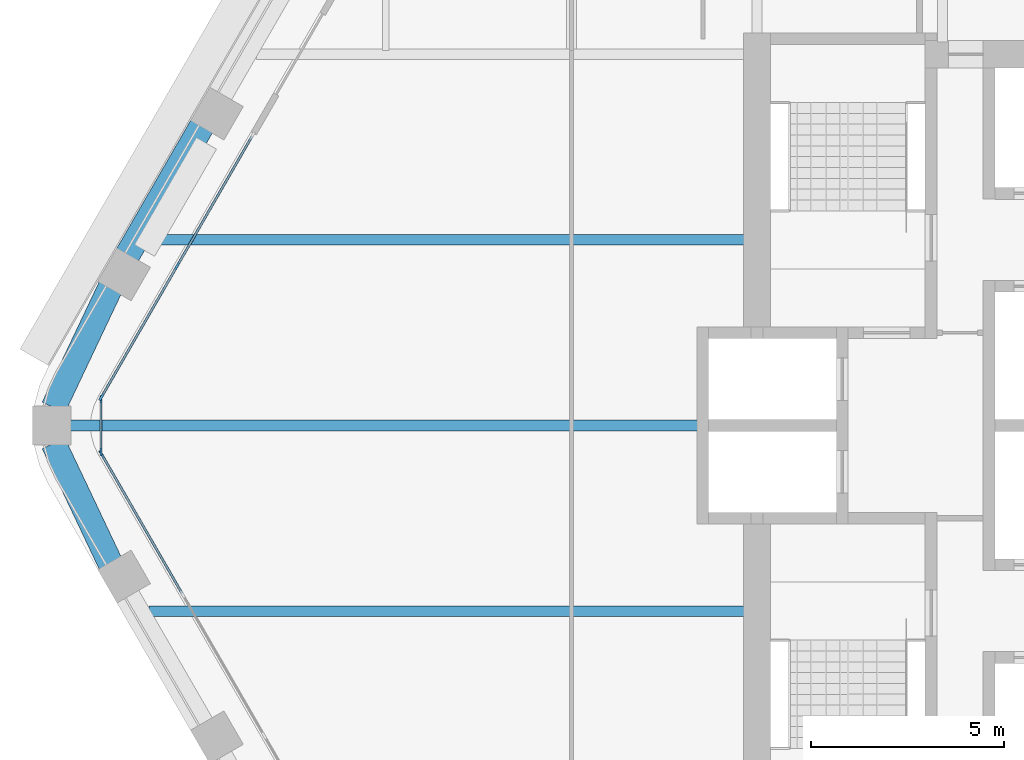
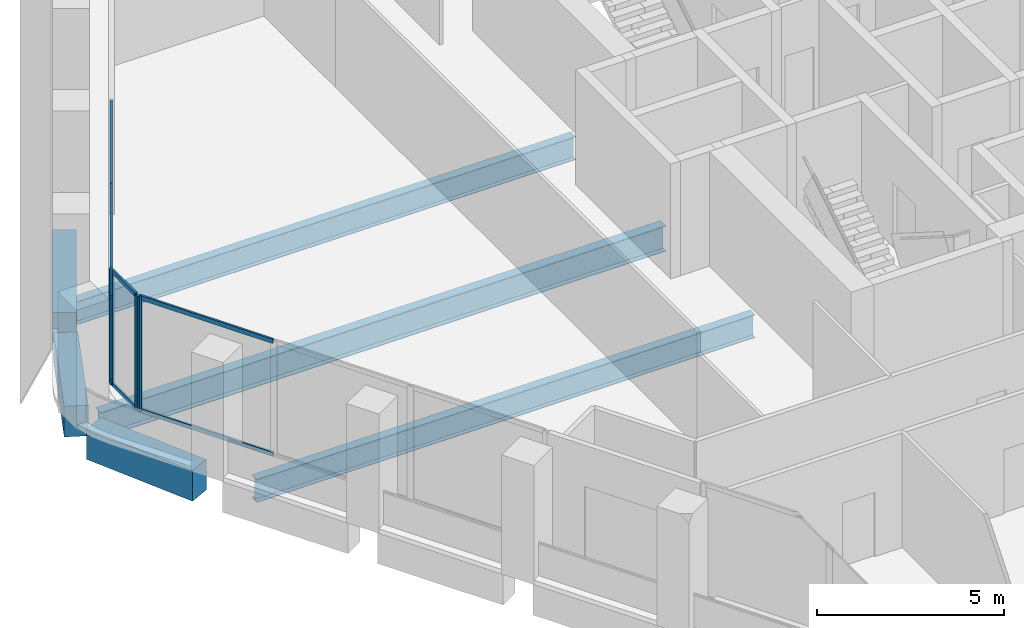
# One storey, part 3 of 15: 13 members, 6 beams, 3 elements without a shape of their own.
"""IFC4 building model written with IfcOpenShell, lengths in metres."""

from ifc_helpers import new_model, si_unit, direction, frame, origin, origin_2d, place, context, subcontext, project, spatial, rectangle, i_section, extrude, material, material_profile, profile_set, type_object, element, aggregate, save


model = new_model("IFC4")

# Units and contexts
model_context = context("Model", 3, precision=1e-05, world=origin(), true_north=direction((0.0, 1.0)))
body_context = subcontext(model_context, "Body", "Model", "MODEL_VIEW")
ifc_project = project(units=[si_unit("LENGTHUNIT", "METRE"), si_unit("AREAUNIT", "SQUARE_METRE"), si_unit("VOLUMEUNIT", "CUBIC_METRE"), si_unit("PLANEANGLEUNIT", "RADIAN"), si_unit("MASSUNIT", "GRAM", prefix="KILO")], contexts=[model_context])

# Site, building, storey
site_placement = place(None, origin())
site = spatial("IfcSite", under=ifc_project, at=site_placement, CompositionType="ELEMENT")
building_placement = place(site_placement, origin())
building = spatial("IfcBuilding", under=site, at=building_placement, Name="Kolab Exchange Tower", CompositionType="ELEMENT")
storey_placement = place(building_placement, frame((0.0, 0.0, 173.89990234375)))
storey = spatial("IfcBuildingStorey", under=building, at=storey_placement, Name="L36", CompositionType="ELEMENT", Elevation=173.89990234375)

# Beams
ifc_material_1 = material(Name="Steel S355", Category="steel")
ifc_material_profile_1 = material_profile(ifc_material_1, i_section(OverallWidth=0.26708984375, OverallDepth=0.761962890625, WebThickness=0.014404296875, FlangeThickness=0.021484375, at=origin_2d()), Name="W760X173")
ifc_profile_set_1 = profile_set([ifc_material_profile_1], Name="Steel S355")
beam_type_1 = type_object("IfcBeamType", Name="FLOOR BEAM W760X173", PredefinedType="BEAM", material=ifc_profile_set_1)
for number, where, z_axis, x_axis, name in (
    (1, (-25.318115234375, -4.800048828125, -0.531005859375), (1.0, 0.0, 0.0), (0.0, 1.0, 0.0), "beam/L36/fr/001"),
    (2, (-25.318115234375, 4.800048828125, -0.531005859375), (1.0, 0.0, 0.0), (0.0, 1.0, 0.0), "beam/L36/fr/002"),
):
    element("IfcBeam", number, at=place(storey_placement, frame(where, z_axis=z_axis, x_axis=x_axis)), inside=storey, type_object=beam_type_1, Name=name, PredefinedType="BEAM", context=body_context, shape_type="SweptSolid", body=[
        extrude(i_section(OverallWidth=0.26708984375, OverallDepth=0.761962890625, WebThickness=0.014404296875, FlangeThickness=0.021484375, at=origin_2d()), origin(), (0.0, 0.0, 1.0), 15.408203125),
    ])
ifc_material_profile_2 = material_profile(ifc_material_1, i_section(OverallWidth=0.2919921875, OverallDepth=0.840087890625, WebThickness=0.0146484375, FlangeThickness=0.021728515625, at=origin_2d()), Name="W840X193")
ifc_profile_set_2 = profile_set([ifc_material_profile_2], Name="Steel S355")
beam_type_2 = type_object("IfcBeamType", Name="FLOOR BEAM W840X193", PredefinedType="BEAM", material=ifc_profile_set_2)
beam_1_placement = place(storey_placement, frame((-27.3759765625, 0.0, -0.56982421875), z_axis=(1.0, 0.0, 0.0), x_axis=(0.0, 1.0, 0.0)))
element("IfcBeam", 3, at=beam_1_placement, inside=storey, type_object=beam_type_2, Name="beam/L36/fr/000", PredefinedType="BEAM", context=body_context, shape_type="SweptSolid", body=[
    extrude(i_section(OverallWidth=0.2919921875, OverallDepth=0.840087890625, WebThickness=0.0146484375, FlangeThickness=0.021728515625, at=origin_2d()), origin(), (0.0, 0.0, 1.0), 17.466064453125),
])
ifc_material_2 = material(Name="Concrete C60/75", Category="concrete")
ifc_material_profile_3 = material_profile(ifc_material_2, rectangle(XDim=0.64990234375, YDim=1.0, at=origin_2d()), Name="RC650X1000")
ifc_profile_set_3 = profile_set([ifc_material_profile_3], Name="Concrete C60/75")
beam_type_3 = type_object("IfcBeamType", Name="SPANDREL BEAM 650X1000 C60/75", PredefinedType="BEAM", material=ifc_profile_set_3)
for number, where, z_axis, x_axis, name in (
    (4, (-26.316162109375, -3.5771484375, -0.64990234375), (-0.428177731975, 0.903694544545, 0.0), (-0.903694544545, -0.428177731975, 0.0), "beam/L36/sp/F5-06"),
    (5, (-27.791259765625, 0.4638671875, -0.64990234375), (0.428177731975, 0.903694544545, 0.0), (-0.903694544545, 0.428177731975, 0.0), "beam/L36/sp/F6-01"),
):
    element("IfcBeam", number, at=place(storey_placement, frame(where, z_axis=z_axis, x_axis=x_axis)), inside=storey, type_object=beam_type_3, Name=name, PredefinedType="BEAM", context=body_context, shape_type="SweptSolid", body=[
        extrude(rectangle(XDim=0.64990234375, YDim=1.0, at=origin_2d()), origin(), (0.0, 0.0, 1.0), 3.445068359375),
    ])
beam_2_placement = place(storey_placement, frame((-25.888427734375, 4.392822265625, -0.64990234375), z_axis=(0.499996613652, 0.866027358884, 0.0), x_axis=(-0.866027358884, 0.499996613652, 0.0)))
element("IfcBeam", 6, at=beam_2_placement, inside=storey, type_object=beam_type_3, Name="beam/L36/sp/F6-02", PredefinedType="BEAM", context=body_context, shape_type="SweptSolid", body=[
    extrude(rectangle(XDim=0.64990234375, YDim=1.0, at=origin_2d()), origin(), (0.0, 0.0, 1.0), 3.8798828125),
])

# Curtain wall, member
ifc_material_3 = material(Name="Aluminium EN AW-6063 T6", Category="aluminium")
curtain_wall_type = type_object("IfcCurtainWallType", Name="UNITISED UPPER MID ZONE CURTAIN WALL", PredefinedType="NOTDEFINED", material=ifc_material_3)
curtain_wall_1_placement = place(storey_placement, origin())
curtain_wall_1 = element("IfcCurtainWall", 7, at=curtain_wall_1_placement, inside=storey, type_object=curtain_wall_type, Name="cw/L36/F5-2", PredefinedType="NOTDEFINED")
ifc_material_profile_4 = material_profile(ifc_material_3, rectangle(XDim=0.06005859375, YDim=0.199951171875, at=origin_2d()), Name="RECT 60X200")
ifc_profile_set_4 = profile_set([ifc_material_profile_4], Name="Aluminium EN AW-6063 T6")
member_type_1 = type_object("IfcMemberType", Name="UNITISED UPPER MID ZONE MULLION 60 X 200", PredefinedType="MULLION", material=ifc_profile_set_4)
member_1_placement = place(storey_placement, frame((-26.550537109375, -0.736083984375, 0.0), z_axis=(0.0, 0.0, 1.0), x_axis=(-0.866025427826, -0.499999958358, 0.0)))
member_1 = element("IfcMember", 8, at=member_1_placement, type_object=member_type_1, Name="CW3 mullion 4", PredefinedType="MULLION", context=body_context, shape_type="SweptSolid", body=[
    extrude(rectangle(XDim=0.06005859375, YDim=0.199951171875, at=origin_2d()), origin(), (0.0, 0.0, 1.0), 3.75),
])

# Curtain wall, members
curtain_wall_2_placement = place(storey_placement, origin())
curtain_wall_2 = element("IfcCurtainWall", 9, at=curtain_wall_2_placement, inside=storey, type_object=curtain_wall_type, Name="cw/L36/F6-1", PredefinedType="NOTDEFINED")
member_2_placement = place(storey_placement, frame((-26.550537109375, 0.736083984375, 0.0), z_axis=(0.0, 0.0, 1.0), x_axis=(-0.866025440524, 0.499999936366, 0.0)))
member_2 = element("IfcMember", 10, at=member_2_placement, type_object=member_type_1, Name="CW3 mullion 1", PredefinedType="MULLION", context=body_context, shape_type="SweptSolid", body=[
    extrude(rectangle(XDim=0.06005859375, YDim=0.199951171875, at=origin_2d()), origin(), (0.0, 0.0, 1.0), 3.75),
])
member_3_placement = place(storey_placement, frame((-24.5986328125, 4.116943359375, 0.0), z_axis=(0.0, 0.0, 1.0), x_axis=(-0.866025440524, 0.499999936366, 0.0)))
member_3 = element("IfcMember", 11, at=member_3_placement, type_object=member_type_1, Name="CW3 mullion 2", PredefinedType="MULLION", context=body_context, shape_type="SweptSolid", body=[
    extrude(rectangle(XDim=0.06005859375, YDim=0.199951171875, at=origin_2d()), origin(), (0.0, 0.0, 1.0), 3.75),
])

curtain_wall_3_placement = place(storey_placement, origin())
curtain_wall_3 = element("IfcCurtainWall", 12, at=curtain_wall_3_placement, inside=storey, type_object=curtain_wall_type, Name="cw/L36/F5F6-corner", PredefinedType="NOTDEFINED")
member_4_placement = place(storey_placement, frame((-26.565673828125, -0.679931640625, 0.0), z_axis=(0.0, 0.0, 1.0), x_axis=(-1.0, 0.0, 0.0)))
member_4 = element("IfcMember", 13, at=member_4_placement, type_object=member_type_1, Name="CW3 mullion 1", PredefinedType="MULLION", context=body_context, shape_type="SweptSolid", body=[
    extrude(rectangle(XDim=0.06005859375, YDim=0.199951171875, at=origin_2d()), origin(), (0.0, 0.0, 1.0), 3.75),
])
member_5_placement = place(storey_placement, frame((-26.565673828125, 0.679931640625, 0.0), z_axis=(0.0, 0.0, 1.0), x_axis=(-1.0, 0.0, 0.0)))
member_5 = element("IfcMember", 14, at=member_5_placement, type_object=member_type_1, Name="CW3 mullion 2", PredefinedType="MULLION", context=body_context, shape_type="SweptSolid", body=[
    extrude(rectangle(XDim=0.06005859375, YDim=0.199951171875, at=origin_2d()), origin(), (0.0, 0.0, 1.0), 3.75),
])

# Member
ifc_material_profile_5 = material_profile(ifc_material_3, rectangle(XDim=0.06005859375, YDim=0.139892578125, at=origin_2d()), Name="RECT 60X140")
ifc_profile_set_5 = profile_set([ifc_material_profile_5], Name="Aluminium EN AW-6063 T6")
member_type_2 = type_object("IfcMemberType", Name="UNITISED UPPER MID ZONE TRANSOM 60 X 140", PredefinedType="USERDEFINED", material=ifc_profile_set_5)
member_6_placement = place(storey_placement, frame((-24.46923828125, -4.3408203125, 0.030029296875), z_axis=(-0.500027577057, 0.866009481578, 0.0), x_axis=(-0.866009481578, -0.500027577057, 0.0)))
member_6 = element("IfcMember", 15, at=member_6_placement, type_object=member_type_2, Name="CW3 transom 3.1", ObjectType="TRANSOM", PredefinedType="USERDEFINED", context=body_context, shape_type="SweptSolid", body=[
    extrude(rectangle(XDim=0.06005859375, YDim=0.139892578125, at=origin_2d()), origin(), (0.0, 0.0, 1.0), 4.132568359375),
])

member_7_placement = place(storey_placement, frame((-24.46923828125, -4.3408203125, 3.72021484375), z_axis=(-0.500027577057, 0.866009481578, 0.0), x_axis=(-0.866009481578, -0.500027577057, 0.0)))
member_7 = element("IfcMember", 16, at=member_7_placement, type_object=member_type_2, Name="CW3 transom 3.2", ObjectType="TRANSOM", PredefinedType="USERDEFINED", context=body_context, shape_type="SweptSolid", body=[
    extrude(rectangle(XDim=0.06005859375, YDim=0.139892578125, at=origin_2d()), origin(), (0.0, 0.0, 1.0), 4.132568359375),
])

aggregate(curtain_wall_1, [member_1, member_6, member_7])

member_8_placement = place(storey_placement, frame((-26.53564453125, 0.761962890625, 0.030029296875), z_axis=(0.499991857942, 0.866030104553, 0.0), x_axis=(-0.866030104553, 0.499991857942, 0.0)))
member_8 = element("IfcMember", 17, at=member_8_placement, type_object=member_type_2, Name="CW3 transom 1.1", ObjectType="TRANSOM", PredefinedType="USERDEFINED", context=body_context, shape_type="SweptSolid", body=[
    extrude(rectangle(XDim=0.06005859375, YDim=0.139892578125, at=origin_2d()), origin(), (0.0, 0.0, 1.0), 3.84375),
])

member_9_placement = place(storey_placement, frame((-26.53564453125, 0.761962890625, 3.72021484375), z_axis=(0.499991857942, 0.866030104553, 0.0), x_axis=(-0.866030104553, 0.499991857942, 0.0)))
member_9 = element("IfcMember", 18, at=member_9_placement, type_object=member_type_2, Name="CW3 transom 1.2", ObjectType="TRANSOM", PredefinedType="USERDEFINED", context=body_context, shape_type="SweptSolid", body=[
    extrude(rectangle(XDim=0.06005859375, YDim=0.139892578125, at=origin_2d()), origin(), (0.0, 0.0, 1.0), 3.84375),
])

member_10_placement = place(storey_placement, frame((-24.583740234375, 4.142822265625, 0.030029296875), z_axis=(0.500011990396, 0.866018481016, 0.0), x_axis=(-0.866018481016, 0.500011990396, 0.0)))
member_10 = element("IfcMember", 19, at=member_10_placement, type_object=member_type_2, Name="CW3 transom 2.1", ObjectType="TRANSOM", PredefinedType="USERDEFINED", context=body_context, shape_type="SweptSolid", body=[
    extrude(rectangle(XDim=0.06005859375, YDim=0.139892578125, at=origin_2d()), origin(), (0.0, 0.0, 1.0), 3.84423828125),
])

member_11_placement = place(storey_placement, frame((-24.583740234375, 4.142822265625, 3.72021484375), z_axis=(0.500011990396, 0.866018481016, 0.0), x_axis=(-0.866018481016, 0.500011990396, 0.0)))
member_11 = element("IfcMember", 20, at=member_11_placement, type_object=member_type_2, Name="CW3 transom 2.2", ObjectType="TRANSOM", PredefinedType="USERDEFINED", context=body_context, shape_type="SweptSolid", body=[
    extrude(rectangle(XDim=0.06005859375, YDim=0.139892578125, at=origin_2d()), origin(), (0.0, 0.0, 1.0), 3.84423828125),
])

aggregate(curtain_wall_2, [member_2, member_3, member_8, member_9, member_10, member_11])

member_12_placement = place(storey_placement, frame((-26.565673828125, -0.64990234375, 0.030029296875), z_axis=(0.0, 1.0, 0.0), x_axis=(-1.0, 0.0, 0.0)))
member_12 = element("IfcMember", 21, at=member_12_placement, type_object=member_type_2, Name="CW3 transom 1.1", ObjectType="TRANSOM", PredefinedType="USERDEFINED", context=body_context, shape_type="SweptSolid", body=[
    extrude(rectangle(XDim=0.06005859375, YDim=0.139892578125, at=origin_2d()), origin(), (0.0, 0.0, 1.0), 1.2998046875),
])

member_13_placement = place(storey_placement, frame((-26.565673828125, -0.64990234375, 3.72021484375), z_axis=(0.0, 1.0, 0.0), x_axis=(-1.0, 0.0, 0.0)))
member_13 = element("IfcMember", 22, at=member_13_placement, type_object=member_type_2, Name="CW3 transom 1.2", ObjectType="TRANSOM", PredefinedType="USERDEFINED", context=body_context, shape_type="SweptSolid", body=[
    extrude(rectangle(XDim=0.06005859375, YDim=0.139892578125, at=origin_2d()), origin(), (0.0, 0.0, 1.0), 1.2998046875),
])

aggregate(curtain_wall_3, [member_4, member_5, member_12, member_13])

save(model, "model.ifc")
